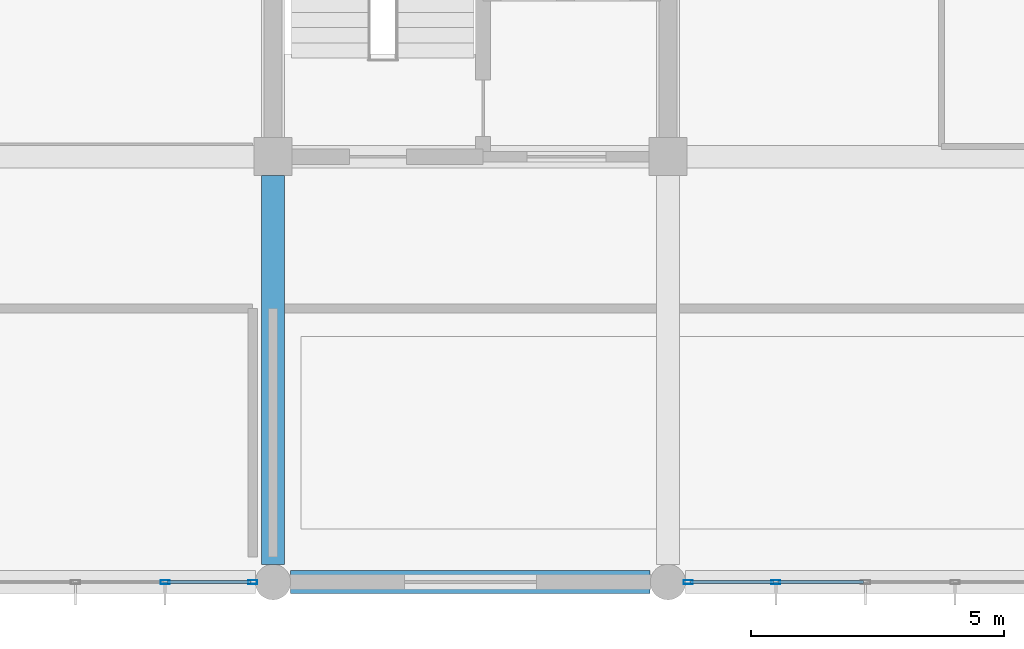
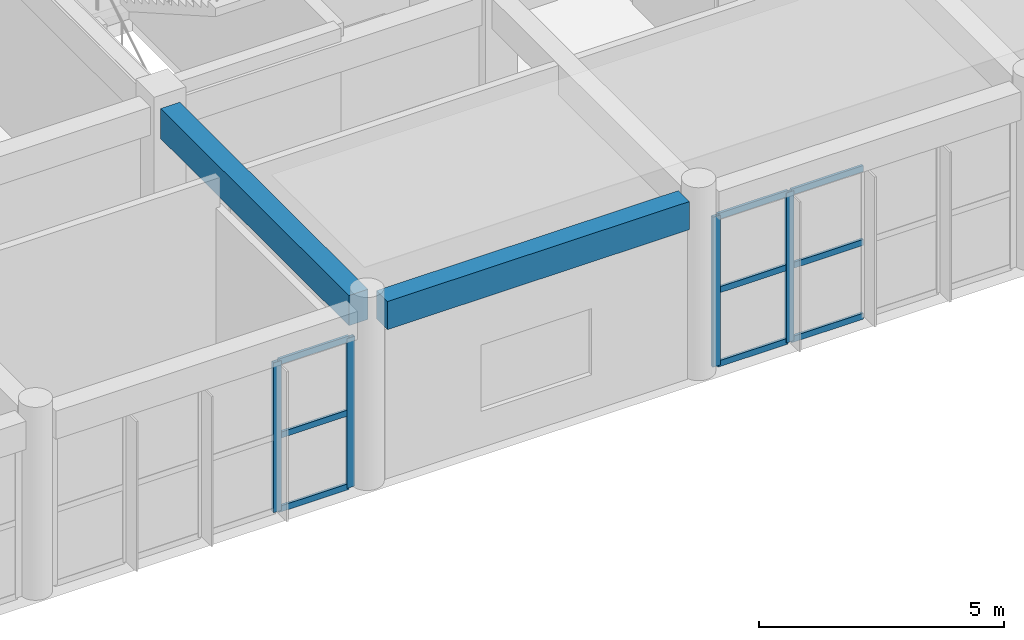
# One storey, part 13 of 167: 13 members, 2 beams, 2 elements without a shape of their own.
"""IFC4 building model written with IfcOpenShell, lengths in metres."""

from ifc_helpers import new_model, si_unit, direction, frame, origin, origin_2d, place, context, subcontext, project, spatial, rectangle, hollow_rectangle, extrude, material, layer, layer_set, material_profile, profile_set, type_object, element, aggregate, save


model = new_model("IFC4")

# Units and contexts
model_context = context("Model", 3, precision=1e-05, world=origin(), true_north=direction((0.0, 1.0)))
body_context = subcontext(model_context, "Body", "Model", "MODEL_VIEW")
ifc_project = project(units=[si_unit("LENGTHUNIT", "METRE"), si_unit("AREAUNIT", "SQUARE_METRE"), si_unit("VOLUMEUNIT", "CUBIC_METRE"), si_unit("PLANEANGLEUNIT", "RADIAN"), si_unit("MASSUNIT", "GRAM", prefix="KILO")], contexts=[model_context])

# Site, building, storey
site_placement = place(None, origin())
site = spatial("IfcSite", under=ifc_project, at=site_placement, CompositionType="ELEMENT")
building_placement = place(site_placement, origin())
building = spatial("IfcBuilding", under=site, at=building_placement, Name="Zizhar Promenade General Hospital", CompositionType="ELEMENT")
storey_placement = place(building_placement, frame((0.0, 0.0, 9.60009765625)))
storey = spatial("IfcBuildingStorey", under=building, at=storey_placement, Name="L02", CompositionType="ELEMENT", Elevation=9.60009765625)

# Beams
ifc_material_1 = material(Name="Concrete C35/45", Category="concrete")
ifc_material_profile_1 = material_profile(ifc_material_1, rectangle(XDim=0.449951171875, YDim=0.699951171875, at=origin_2d()))
ifc_profile_set_1 = profile_set([ifc_material_profile_1], Name="Concrete C35/45")
beam_type_1 = type_object("IfcBeamType", Name="BM-RC-450x700", PredefinedType="BEAM", material=ifc_profile_set_1)
beam_1_placement = place(storey_placement, frame((47.14990234375, 0.0, 4.119873046875), z_axis=(1.0, 0.0, 0.0), x_axis=(0.0, 1.0, 0.0)))
element("IfcBeam", 1, at=beam_1_placement, inside=storey, type_object=beam_type_1, Name="Grid Beam X L02 (6-0)", PredefinedType="BEAM", context=body_context, shape_type="SweptSolid", body=[
    extrude(rectangle(XDim=0.449951171875, YDim=0.699951171875, at=origin_2d()), origin(), (0.0, 0.0, 1.0), 7.10009765625),
])
ifc_material_2 = material(Name="Concrete C35/45", Category="concrete")
ifc_material_profile_2 = material_profile(ifc_material_2, rectangle(XDim=0.449951171875, YDim=0.75, at=origin_2d()))
ifc_profile_set_2 = profile_set([ifc_material_profile_2], Name="Concrete C35/45")
beam_type_2 = type_object("IfcBeamType", Name="BM-RC-450x750", PredefinedType="BEAM", material=ifc_profile_set_2)
beam_2_placement = place(storey_placement, frame((46.800048828125, 0.35009765625, 4.094970703125), z_axis=(0.0, 1.0, 0.0), x_axis=(-1.0, 0.0, 0.0)))
element("IfcBeam", 2, at=beam_2_placement, inside=storey, type_object=beam_type_2, Name="Grid Beam Y L02 (6-0)", PredefinedType="BEAM", context=body_context, shape_type="SweptSolid", body=[
    extrude(rectangle(XDim=0.449951171875, YDim=0.75, at=origin_2d()), origin(), (0.0, 0.0, 1.0), 7.6748046875),
])

# Curtain wall, members
ifc_material_3 = material(Name="Anodised aluminium 6063-T6 and low-E glass", Category="aluminium")
ifc_layer = layer(ifc_material_3, 0.159912109375)
ifc_layer_set = layer_set([ifc_layer], Name="Anodised aluminium 6063-T6 and low-E glass")
curtain_wall_type = type_object("IfcCurtainWallType", Name="CW-DT-MOD1", PredefinedType="NOTDEFINED", material=ifc_layer_set)
curtain_wall_1_placement = place(storey_placement, origin())
curtain_wall_1 = element("IfcCurtainWall", 3, at=curtain_wall_1_placement, inside=storey, type_object=curtain_wall_type, Name="Riverfront Clinical Curtain Wall L02-4", PredefinedType="NOTDEFINED")
ifc_material_4 = material(Name="Anodised aluminium 6063-T6", Category="aluminium")
ifc_material_profile_3 = material_profile(ifc_material_4, hollow_rectangle(XDim=0.080078125, YDim=0.179931640625, WallThickness=0.0048828125, at=origin_2d()))
ifc_profile_set_3 = profile_set([ifc_material_profile_3], Name="Anodised aluminium 6063-T6")
member_type_1 = type_object("IfcMemberType", Name="CWM-ALU-180x80", PredefinedType="MULLION", material=ifc_profile_set_3)
member_1_placement = place(storey_placement, frame((46.39990234375, 0.0, 0.0), z_axis=(0.0, 0.0, 1.0), x_axis=(0.0, -1.0, 0.0)))
member_1 = element("IfcMember", 4, at=member_1_placement, type_object=member_type_1, Name="CW-07 mullion 1", PredefinedType="MULLION", context=body_context, shape_type="SweptSolid", body=[
    extrude(hollow_rectangle(XDim=0.080078125, YDim=0.179931640625, WallThickness=0.0048828125, at=origin_2d()), origin(), (0.0, 0.0, 1.0), 3.72998046875),
])
member_2_placement = place(storey_placement, frame((44.669921875, 0.0, 0.0), z_axis=(0.0, 0.0, 1.0), x_axis=(0.0, -1.0, 0.0)))
member_2 = element("IfcMember", 5, at=member_2_placement, type_object=member_type_1, Name="CW-07 mullion 2", PredefinedType="MULLION", context=body_context, shape_type="SweptSolid", body=[
    extrude(hollow_rectangle(XDim=0.080078125, YDim=0.179931640625, WallThickness=0.0048828125, at=origin_2d()), origin(), (0.0, 0.0, 1.0), 3.72998046875),
])

curtain_wall_2_placement = place(storey_placement, origin())
curtain_wall_2 = element("IfcCurtainWall", 6, at=curtain_wall_2_placement, inside=storey, type_object=curtain_wall_type, Name="Riverfront Clinical Curtain Wall L02-6", PredefinedType="NOTDEFINED")
member_3_placement = place(storey_placement, frame((56.72998046875, 0.0, 0.0), z_axis=(0.0, 0.0, 1.0), x_axis=(0.0, -1.0, 0.0)))
member_3 = element("IfcMember", 7, at=member_3_placement, type_object=member_type_1, Name="CW-07 mullion 4", PredefinedType="MULLION", context=body_context, shape_type="SweptSolid", body=[
    extrude(hollow_rectangle(XDim=0.080078125, YDim=0.179931640625, WallThickness=0.0048828125, at=origin_2d()), origin(), (0.0, 0.0, 1.0), 3.72998046875),
])
member_4_placement = place(storey_placement, frame((55.0, 0.0, 0.0), z_axis=(0.0, 0.0, 1.0), x_axis=(0.0, -1.0, 0.0)))
member_4 = element("IfcMember", 8, at=member_4_placement, type_object=member_type_1, Name="CW-07 mullion 5", PredefinedType="MULLION", context=body_context, shape_type="SweptSolid", body=[
    extrude(hollow_rectangle(XDim=0.080078125, YDim=0.179931640625, WallThickness=0.0048828125, at=origin_2d()), origin(), (0.0, 0.0, 1.0), 3.72998046875),
])

# Member
ifc_material_5 = material(Name="Anodised aluminium 6063-T6", Category="aluminium")
ifc_material_profile_4 = material_profile(ifc_material_5, hollow_rectangle(XDim=0.06005859375, YDim=0.14990234375, WallThickness=0.00390625, at=origin_2d()))
ifc_profile_set_4 = profile_set([ifc_material_profile_4], Name="Anodised aluminium 6063-T6")
member_type_2 = type_object("IfcMemberType", Name="CWT-ALU-150x60", PredefinedType="USERDEFINED", material=ifc_profile_set_4)
member_5_placement = place(storey_placement, frame((46.360107421875, 0.0, 0.02978515625), z_axis=(-1.0, 0.0, 0.0), x_axis=(0.0, -1.0, 0.0)))
member_5 = element("IfcMember", 9, at=member_5_placement, type_object=member_type_2, Name="CW-07 transom 1.1", ObjectType="TRANSOM", PredefinedType="USERDEFINED", context=body_context, shape_type="SweptSolid", body=[
    extrude(hollow_rectangle(XDim=0.06005859375, YDim=0.14990234375, WallThickness=0.00390625, at=origin_2d()), origin(), (0.0, 0.0, 1.0), 1.650146484375),
])

member_6_placement = place(storey_placement, frame((46.360107421875, 0.0, 1.864990234375), z_axis=(-1.0, 0.0, 0.0), x_axis=(0.0, -1.0, 0.0)))
member_6 = element("IfcMember", 10, at=member_6_placement, type_object=member_type_2, Name="CW-07 transom 1.2", ObjectType="TRANSOM", PredefinedType="USERDEFINED", context=body_context, shape_type="SweptSolid", body=[
    extrude(hollow_rectangle(XDim=0.06005859375, YDim=0.14990234375, WallThickness=0.00390625, at=origin_2d()), origin(), (0.0, 0.0, 1.0), 1.650146484375),
])

member_7_placement = place(storey_placement, frame((46.360107421875, 0.0, 3.699951171875), z_axis=(-1.0, 0.0, 0.0), x_axis=(0.0, -1.0, 0.0)))
member_7 = element("IfcMember", 11, at=member_7_placement, type_object=member_type_2, Name="CW-07 transom 1.3", ObjectType="TRANSOM", PredefinedType="USERDEFINED", context=body_context, shape_type="SweptSolid", body=[
    extrude(hollow_rectangle(XDim=0.06005859375, YDim=0.14990234375, WallThickness=0.00390625, at=origin_2d()), origin(), (0.0, 0.0, 1.0), 1.650146484375),
])

aggregate(curtain_wall_1, [member_1, member_2, member_5, member_6, member_7])

member_8_placement = place(storey_placement, frame((58.4599609375, 0.0, 0.02978515625), z_axis=(-1.0, 0.0, 0.0), x_axis=(0.0, -1.0, 0.0)))
member_8 = element("IfcMember", 12, at=member_8_placement, type_object=member_type_2, Name="CW-07 transom 3.1", ObjectType="TRANSOM", PredefinedType="USERDEFINED", context=body_context, shape_type="SweptSolid", body=[
    extrude(hollow_rectangle(XDim=0.06005859375, YDim=0.14990234375, WallThickness=0.00390625, at=origin_2d()), origin(), (0.0, 0.0, 1.0), 1.68994140625),
])

member_9_placement = place(storey_placement, frame((58.4599609375, 0.0, 1.864990234375), z_axis=(-1.0, 0.0, 0.0), x_axis=(0.0, -1.0, 0.0)))
member_9 = element("IfcMember", 13, at=member_9_placement, type_object=member_type_2, Name="CW-07 transom 3.2", ObjectType="TRANSOM", PredefinedType="USERDEFINED", context=body_context, shape_type="SweptSolid", body=[
    extrude(hollow_rectangle(XDim=0.06005859375, YDim=0.14990234375, WallThickness=0.00390625, at=origin_2d()), origin(), (0.0, 0.0, 1.0), 1.68994140625),
])

member_10_placement = place(storey_placement, frame((58.4599609375, 0.0, 3.699951171875), z_axis=(-1.0, 0.0, 0.0), x_axis=(0.0, -1.0, 0.0)))
member_10 = element("IfcMember", 14, at=member_10_placement, type_object=member_type_2, Name="CW-07 transom 3.3", ObjectType="TRANSOM", PredefinedType="USERDEFINED", context=body_context, shape_type="SweptSolid", body=[
    extrude(hollow_rectangle(XDim=0.06005859375, YDim=0.14990234375, WallThickness=0.00390625, at=origin_2d()), origin(), (0.0, 0.0, 1.0), 1.68994140625),
])

member_11_placement = place(storey_placement, frame((56.68994140625, 0.0, 0.02978515625), z_axis=(-1.0, 0.0, 0.0), x_axis=(0.0, -1.0, 0.0)))
member_11 = element("IfcMember", 15, at=member_11_placement, type_object=member_type_2, Name="CW-07 transom 4.1", ObjectType="TRANSOM", PredefinedType="USERDEFINED", context=body_context, shape_type="SweptSolid", body=[
    extrude(hollow_rectangle(XDim=0.06005859375, YDim=0.14990234375, WallThickness=0.00390625, at=origin_2d()), origin(), (0.0, 0.0, 1.0), 1.64990234375),
])

member_12_placement = place(storey_placement, frame((56.68994140625, 0.0, 1.864990234375), z_axis=(-1.0, 0.0, 0.0), x_axis=(0.0, -1.0, 0.0)))
member_12 = element("IfcMember", 16, at=member_12_placement, type_object=member_type_2, Name="CW-07 transom 4.2", ObjectType="TRANSOM", PredefinedType="USERDEFINED", context=body_context, shape_type="SweptSolid", body=[
    extrude(hollow_rectangle(XDim=0.06005859375, YDim=0.14990234375, WallThickness=0.00390625, at=origin_2d()), origin(), (0.0, 0.0, 1.0), 1.64990234375),
])

member_13_placement = place(storey_placement, frame((56.68994140625, 0.0, 3.699951171875), z_axis=(-1.0, 0.0, 0.0), x_axis=(0.0, -1.0, 0.0)))
member_13 = element("IfcMember", 17, at=member_13_placement, type_object=member_type_2, Name="CW-07 transom 4.3", ObjectType="TRANSOM", PredefinedType="USERDEFINED", context=body_context, shape_type="SweptSolid", body=[
    extrude(hollow_rectangle(XDim=0.06005859375, YDim=0.14990234375, WallThickness=0.00390625, at=origin_2d()), origin(), (0.0, 0.0, 1.0), 1.64990234375),
])

aggregate(curtain_wall_2, [member_3, member_4, member_8, member_9, member_10, member_11, member_12, member_13])

save(model, "model.ifc")
